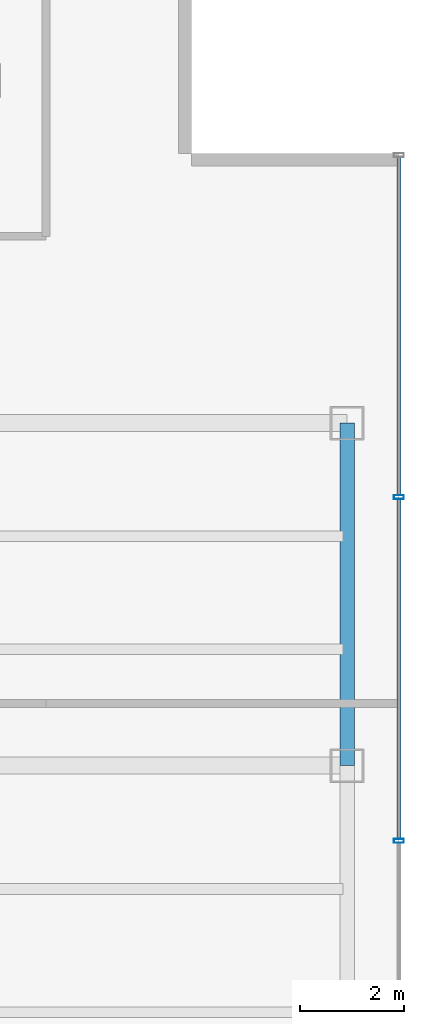
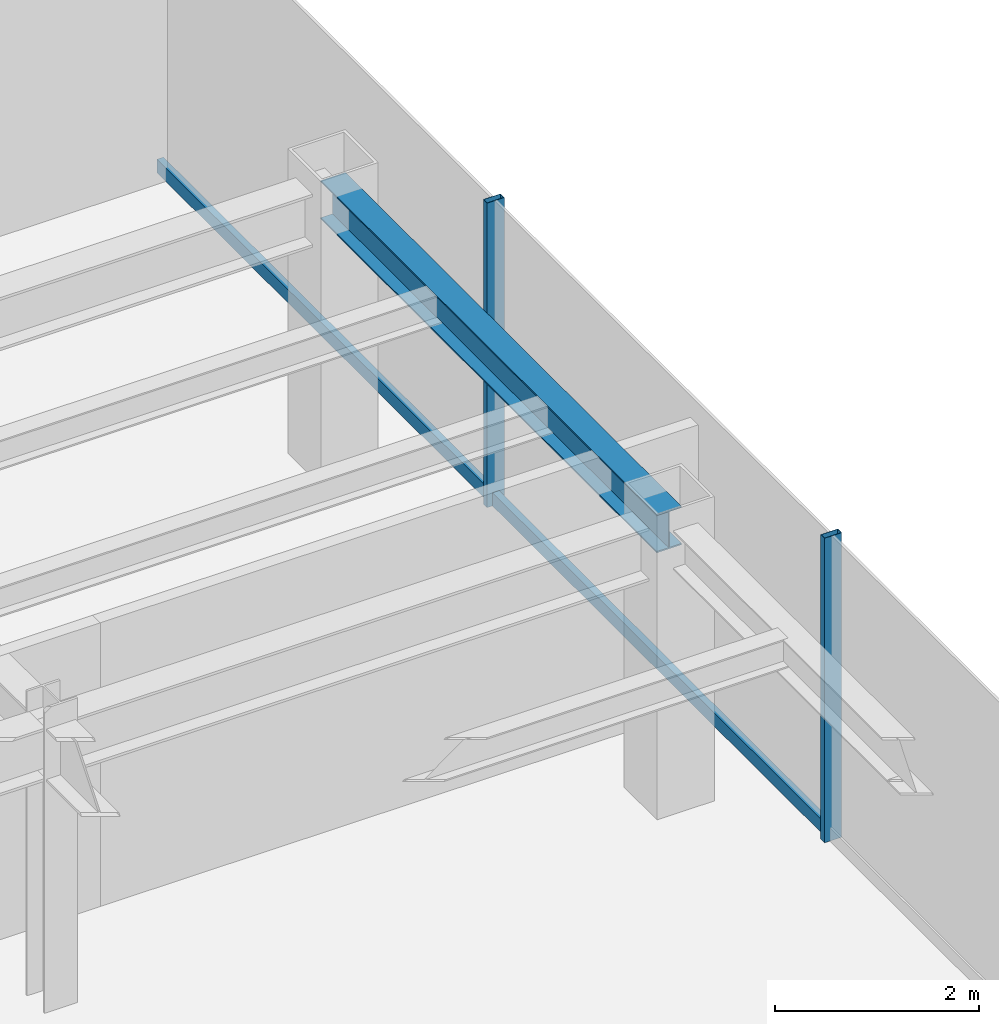
# One storey, part 13 of 25: 4 members, 1 beam, 1 element without a shape of its own.
"""IFC4 building model written with IfcOpenShell, lengths in metres."""

from ifc_helpers import new_model, si_unit, derived_unit, direction, frame, origin, origin_2d, place, context, subcontext, project, spatial, hollow_rectangle, i_section, extrude, source, transform, mapped, material, material_profile, profile_set, type_object, element, aggregate, save


model = new_model("IFC4")

# Units and contexts
model_context = context("Model", 3, precision=1e-05, world=origin(), true_north=direction((0.0, 1.0)))
body_context = subcontext(model_context, "Body", "Model", "MODEL_VIEW")
ifc_project = project(units=[si_unit("LENGTHUNIT", "METRE"), si_unit("AREAUNIT", "SQUARE_METRE"), si_unit("VOLUMEUNIT", "CUBIC_METRE"), si_unit("PLANEANGLEUNIT", "RADIAN"), si_unit("MASSUNIT", "GRAM", prefix="KILO"), derived_unit("THERMALTRANSMITTANCEUNIT", [(si_unit("POWERUNIT", "WATT"), 1), (si_unit("LENGTHUNIT", "METRE"), -2), (si_unit("THERMODYNAMICTEMPERATUREUNIT", "KELVIN"), -1)])], contexts=[model_context])

# Site, building, storey
site_placement = place(None, origin())
site = spatial("IfcSite", under=ifc_project, at=site_placement, CompositionType="ELEMENT")
building_placement = place(site_placement, origin())
building = spatial("IfcBuilding", under=site, at=building_placement, Name="Skarnbrae Concourse Arena and Tower", CompositionType="ELEMENT")
storey_placement = place(building_placement, frame((0.0, 0.0, 147.89990234375)))
storey = spatial("IfcBuildingStorey", under=building, at=storey_placement, Name="L37", CompositionType="ELEMENT", Elevation=147.89990234375)

# Beam
ifc_material_1 = material(Name="Steel CSA G40.21 350W", Category="steel")
ifc_material_profile_1 = material_profile(ifc_material_1, i_section(OverallWidth=0.280029296875, OverallDepth=0.462890625, WebThickness=0.0107421875, FlangeThickness=0.017333984375, at=origin_2d()), Name="W460X113")
ifc_profile_set_1 = profile_set([ifc_material_profile_1], Name="Steel CSA G40.21 350W")
beam_type = type_object("IfcBeamType", Name="BM-SPAN-W460X113", PredefinedType="SPANDREL", material=ifc_profile_set_1)
shared_shape_1 = source(origin(), body_context, "Body", "SweptSolid", [
    extrude(i_section(OverallWidth=0.280029296875, OverallDepth=0.462890625, WebThickness=0.0107421875, FlangeThickness=0.017333984375, at=origin_2d()), origin(), (0.0, 0.0, 1.0), 6.60009765625),
])
beam_placement = place(storey_placement, frame((49.0, 21.199951171875, 3.168701171875), z_axis=(0.0, 1.0, 0.0), x_axis=(-1.0, 0.0, 0.0)))
element("IfcBeam", 1, at=beam_placement, inside=storey, type_object=beam_type, Name="L37 Perimeter spandrel X49.0-3", PredefinedType="SPANDREL", context=body_context, shape_type="MappedRepresentation", body=[
    mapped(shared_shape_1, transform((0.0, 0.0, 0.0))),
])

# Curtain wall, members
ifc_material_2 = material(Name="Bronze anodised aluminium 6063-T6", Category="aluminium")
curtain_wall_type = type_object("IfcCurtainWallType", Name="CW-SYS-04-MIDZONE", PredefinedType="USERDEFINED", material=ifc_material_2)
curtain_wall_placement = place(storey_placement, origin())
curtain_wall = element("IfcCurtainWall", 2, at=curtain_wall_placement, inside=storey, type_object=curtain_wall_type, Name="L37 Unitised curtain wall CW-L37-E04", ObjectType="UNITISED CURTAIN WALL", PredefinedType="USERDEFINED")
ifc_material_profile_2 = material_profile(ifc_material_2, hollow_rectangle(XDim=0.074951171875, YDim=0.195068359375, WallThickness=0.00439453125, at=origin_2d()), Name="ALU-MULL-75X195")
ifc_profile_set_2 = profile_set([ifc_material_profile_2], Name="Bronze anodised aluminium 6063-T6")
member_type_1 = type_object("IfcMemberType", Name="CWM-CW-04", PredefinedType="MULLION", material=ifc_profile_set_2)
shared_shape_2 = source(origin(), body_context, "Body", "SweptSolid", [
    extrude(hollow_rectangle(XDim=0.074951171875, YDim=0.195068359375, WallThickness=0.00439453125, at=origin_2d()), origin(), (0.0, 0.0, 1.0), 3.650146484375),
])
member_1_placement = place(storey_placement, frame((50.0, 19.75, 0.0), z_axis=(0.0, 0.0, 1.0), x_axis=(0.0, 1.0, 0.0)))
member_1 = element("IfcMember", 3, at=member_1_placement, type_object=member_type_1, Name="CW-L37-E04 Mullion 3", PredefinedType="MULLION", context=body_context, shape_type="MappedRepresentation", body=[
    mapped(shared_shape_2, transform((0.0, 0.0, 0.0))),
])
member_2_placement = place(storey_placement, frame((50.0, 26.375, 0.0), z_axis=(0.0, 0.0, 1.0), x_axis=(0.0, 1.0, 0.0)))
member_2 = element("IfcMember", 4, at=member_2_placement, type_object=member_type_1, Name="CW-L37-E04 Mullion 4", PredefinedType="MULLION", context=body_context, shape_type="MappedRepresentation", body=[
    mapped(shared_shape_2, transform((0.0, 0.0, 0.0))),
])
ifc_material_profile_3 = material_profile(ifc_material_2, hollow_rectangle(XDim=0.074951171875, YDim=0.159912109375, WallThickness=0.00439453125, at=origin_2d()), Name="ALU-TRAN-75X160")
ifc_profile_set_3 = profile_set([ifc_material_profile_3], Name="Bronze anodised aluminium 6063-T6")
member_type_2 = type_object("IfcMemberType", Name="CWT-CW-04", PredefinedType="USERDEFINED", material=ifc_profile_set_3)
shared_shape_3 = source(origin(), body_context, "Body", "SweptSolid", [
    extrude(hollow_rectangle(XDim=0.074951171875, YDim=0.159912109375, WallThickness=0.00439453125, at=origin_2d()), origin(), (0.0, 0.0, 1.0), 6.512451171875),
])
member_3_placement = place(storey_placement, frame((50.0, 26.41259765625, 0.080078125), z_axis=(0.0, 1.0, 0.0), x_axis=(-1.0, 0.0, 0.0)))
member_3 = element("IfcMember", 5, at=member_3_placement, type_object=member_type_2, Name="CW-L37-E04 Transom 4", ObjectType="TRANSOM", PredefinedType="USERDEFINED", context=body_context, shape_type="MappedRepresentation", body=[
    mapped(shared_shape_3, transform((0.0, 0.0, 0.0))),
])
shared_shape_4 = source(origin(), body_context, "Body", "SweptSolid", [
    extrude(hollow_rectangle(XDim=0.074951171875, YDim=0.159912109375, WallThickness=0.00439453125, at=origin_2d()), origin(), (0.0, 0.0, 1.0), 6.5498046875),
])
member_4_placement = place(storey_placement, frame((50.0, 19.78759765625, 0.080078125), z_axis=(0.0, 1.0, 0.0), x_axis=(-1.0, 0.0, 0.0)))
member_4 = element("IfcMember", 6, at=member_4_placement, type_object=member_type_2, Name="CW-L37-E04 Transom 3", ObjectType="TRANSOM", PredefinedType="USERDEFINED", context=body_context, shape_type="MappedRepresentation", body=[
    mapped(shared_shape_4, transform((0.0, 0.0, 0.0))),
])
aggregate(curtain_wall, [member_1, member_2, member_4, member_3])

save(model, "model.ifc")
